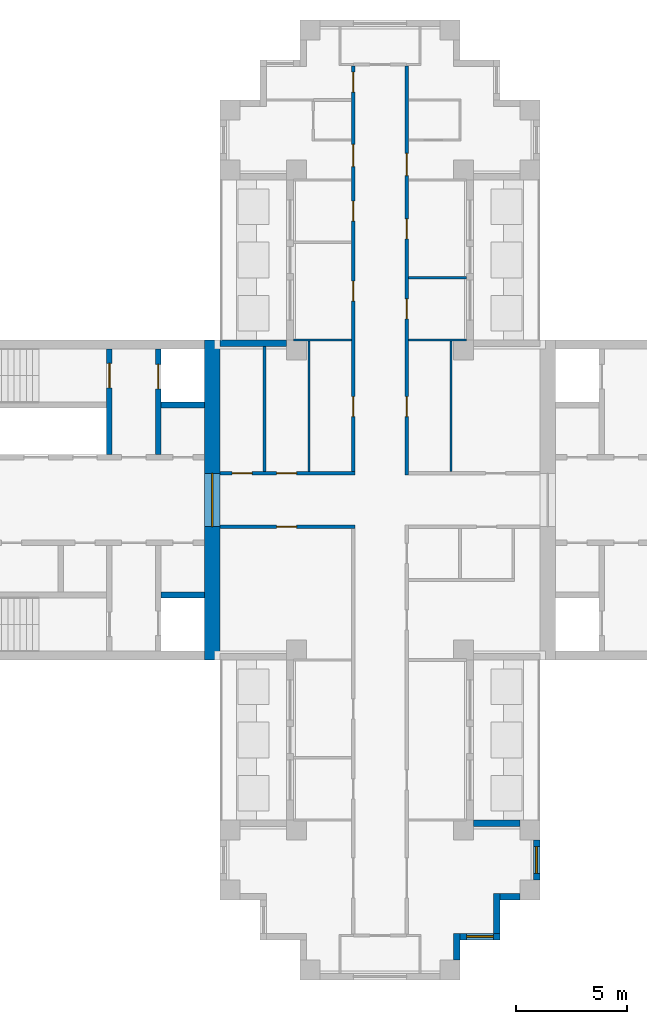
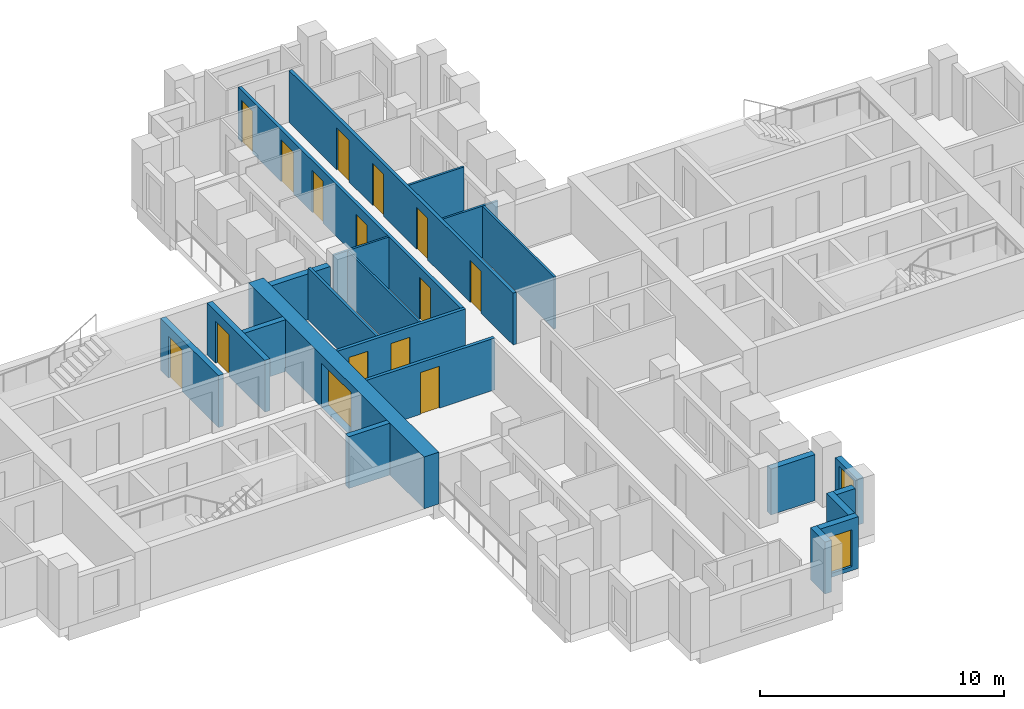
# One storey, part 4 of 10: 22 walls, 15 doors, 2 windows, 17 openings.
"""IFC4 building model written with IfcOpenShell, lengths in metres."""

from ifc_helpers import new_model, si_unit, direction, frame, frame_2d, origin, place, context, subcontext, project, spatial, rectangle, extrude, material, layer, layer_set, type_object, element, fill, save


model = new_model("IFC4")

# Units and contexts
model_context = context("Model", 3, precision=1e-05, world=origin(), true_north=direction((0.0, 1.0)))
body_context = subcontext(model_context, "Body", "Model", "MODEL_VIEW")
ifc_project = project(units=[si_unit("LENGTHUNIT", "METRE"), si_unit("AREAUNIT", "SQUARE_METRE"), si_unit("VOLUMEUNIT", "CUBIC_METRE"), si_unit("PLANEANGLEUNIT", "RADIAN"), si_unit("MASSUNIT", "GRAM", prefix="KILO")], contexts=[model_context])

# Site, building, storey
site_placement = place(None, origin())
site = spatial("IfcSite", under=ifc_project, at=site_placement, CompositionType="ELEMENT")
building_placement = place(site_placement, origin())
building = spatial("IfcBuilding", under=site, at=building_placement, Name="Fustian Cross Tower", CompositionType="ELEMENT")
storey_placement = place(building_placement, frame((0.0, 0.0, 213.89990234375)))
storey = spatial("IfcBuildingStorey", under=building, at=storey_placement, Name="L67", CompositionType="ELEMENT", Elevation=213.89990234375)

# Wall, opening, door
ifc_material_1 = material(Name="Plasterboard on steel stud", Category="steel")
ifc_layer_1 = layer(ifc_material_1, 0.14990234375)
ifc_layer_set_1 = layer_set([ifc_layer_1], Name="Plasterboard on steel stud")
wall_type_1 = type_object("IfcWallType", Name="COMPARTMENT WALL 150 EI 60", PredefinedType="PARTITIONING", material=ifc_layer_set_1)
wall_1_placement = place(storey_placement, frame((-7.199951171875, -1.199951171875, 0.0), z_axis=(0.0, 0.0, 1.0), x_axis=(1.0, 0.0, 0.0)))
wall_1 = element("IfcWall", 1, at=wall_1_placement, inside=storey, type_object=wall_type_1, Name="Partition 10", PredefinedType="PARTITIONING", context=body_context, shape_type="SweptSolid", body=[
    extrude(rectangle(XDim=6.074951171875, YDim=0.14990234375, at=frame_2d((3.03759765625, 0.0))), origin(), (0.0, 0.0, 1.0), 2.60009765625),
])
opening_1_placement = place(wall_1_placement, frame((2.550048828125, 0.0, 0.0)))
opening_1 = element("IfcOpeningElement", 2, at=opening_1_placement, cuts=wall_1, Name="Opening D30009", PredefinedType="OPENING", context=body_context, shape_type="SweptSolid", body=[
    extrude(rectangle(XDim=0.89990234375, YDim=2.10009765625, at=frame_2d((0.449951171875, 1.050048828125))), frame((0.0, 0.0849609375, 0.0), z_axis=(0.0, -1.0, 0.0), x_axis=(1.0, 0.0, 0.0)), (0.0, 0.0, 1.0), 0.169921875),
])
ifc_material_2 = material(Name="Timber fire door set", Category="wood")
door_type_1 = type_object("IfcDoorType", Name="FIRE SWING DOOR 900 FD30S", OperationType="SINGLE_SWING_LEFT", PredefinedType="DOOR", material=ifc_material_2)
door_1_placement = place(opening_1_placement, frame((0.89990234375, 0.0, 0.0), z_axis=(0.0, 0.0, 1.0), x_axis=(-1.0, 0.0, 0.0)))
door_1 = element("IfcDoor", 3, at=door_1_placement, inside=storey, type_object=door_type_1, Name="Door D30009", OperationType="SINGLE_SWING_RIGHT", OverallHeight=2.10009765625, OverallWidth=0.89990234375, PredefinedType="DOOR", context=body_context, shape_type="SweptSolid", body=[
    extrude(rectangle(XDim=0.89990234375, YDim=2.10009765625, at=frame_2d((0.449951171875, 1.050048828125))), frame((0.0, 0.02490234375, 0.0), z_axis=(0.0, -1.0, 0.0), x_axis=(1.0, 0.0, 0.0)), (0.0, 0.0, 1.0), 0.050048828125),
])
fill(opening_1, door_1)

# Wall, openings, doors
wall_2_placement = place(storey_placement, frame((-7.199951171875, 1.199951171875, 0.0), z_axis=(0.0, 0.0, 1.0), x_axis=(1.0, 0.0, 0.0)))
wall_2 = element("IfcWall", 4, at=wall_2_placement, inside=storey, type_object=wall_type_1, Name="Partition 11", PredefinedType="PARTITIONING", context=body_context, shape_type="SweptSolid", body=[
    extrude(rectangle(XDim=6.074951171875, YDim=0.14990234375, at=frame_2d((3.03759765625, 0.0))), origin(), (0.0, 0.0, 1.0), 2.60009765625),
])
opening_2_placement = place(wall_2_placement, frame((2.550048828125, 0.0, 0.0)))
opening_2 = element("IfcOpeningElement", 5, at=opening_2_placement, cuts=wall_2, Name="Opening D30004", PredefinedType="OPENING", context=body_context, shape_type="SweptSolid", body=[
    extrude(rectangle(XDim=0.89990234375, YDim=2.10009765625, at=frame_2d((0.449951171875, 1.050048828125))), frame((0.0, 0.0849609375, 0.0), z_axis=(0.0, -1.0, 0.0), x_axis=(1.0, 0.0, 0.0)), (0.0, 0.0, 1.0), 0.169921875),
])
opening_3_placement = place(wall_2_placement, frame((0.550048828125, 0.0, 0.0)))
opening_3 = element("IfcOpeningElement", 6, at=opening_3_placement, cuts=wall_2, Name="Opening D30005", PredefinedType="OPENING", context=body_context, shape_type="SweptSolid", body=[
    extrude(rectangle(XDim=0.89990234375, YDim=2.10009765625, at=frame_2d((0.449951171875, 1.050048828125))), frame((0.0, 0.0849609375, 0.0), z_axis=(0.0, -1.0, 0.0), x_axis=(1.0, 0.0, 0.0)), (0.0, 0.0, 1.0), 0.169921875),
])
door_2_placement = place(opening_2_placement, origin())
door_2 = element("IfcDoor", 7, at=door_2_placement, inside=storey, type_object=door_type_1, Name="Door D30004", OperationType="SINGLE_SWING_LEFT", OverallHeight=2.10009765625, OverallWidth=0.89990234375, PredefinedType="DOOR", context=body_context, shape_type="SweptSolid", body=[
    extrude(rectangle(XDim=0.89990234375, YDim=2.10009765625, at=frame_2d((0.449951171875, 1.050048828125))), frame((0.0, 0.02490234375, 0.0), z_axis=(0.0, -1.0, 0.0), x_axis=(1.0, 0.0, 0.0)), (0.0, 0.0, 1.0), 0.050048828125),
])
fill(opening_2, door_2)
door_3_placement = place(opening_3_placement, origin())
door_3 = element("IfcDoor", 8, at=door_3_placement, inside=storey, type_object=door_type_1, Name="Door D30005", OperationType="SINGLE_SWING_LEFT", OverallHeight=2.10009765625, OverallWidth=0.89990234375, PredefinedType="DOOR", context=body_context, shape_type="SweptSolid", body=[
    extrude(rectangle(XDim=0.89990234375, YDim=2.10009765625, at=frame_2d((0.449951171875, 1.050048828125))), frame((0.0, 0.02490234375, 0.0), z_axis=(0.0, -1.0, 0.0), x_axis=(1.0, 0.0, 0.0)), (0.0, 0.0, 1.0), 0.050048828125),
])
fill(opening_3, door_3)

wall_3_placement = place(storey_placement, frame((-1.199951171875, 1.27490234375, 0.0), z_axis=(0.0, 0.0, 1.0), x_axis=(0.0, 1.0, 0.0)))
wall_3 = element("IfcWall", 9, at=wall_3_placement, inside=storey, type_object=wall_type_1, Name="Partition 30", PredefinedType="PARTITIONING", context=body_context, shape_type="SweptSolid", body=[
    extrude(rectangle(XDim=18.25, YDim=0.14990234375, at=frame_2d((9.125, 0.0))), origin(), (0.0, 0.0, 1.0), 2.60009765625),
])
opening_4_placement = place(wall_3_placement, frame((2.47509765625, 0.0, 0.0)))
opening_4 = element("IfcOpeningElement", 10, at=opening_4_placement, cuts=wall_3, Name="Opening D30003", PredefinedType="OPENING", context=body_context, shape_type="SweptSolid", body=[
    extrude(rectangle(XDim=0.89990234375, YDim=2.10009765625, at=frame_2d((0.449951171875, 1.050048828125))), frame((0.0, 0.0849609375, 0.0), z_axis=(0.0, -1.0, 0.0), x_axis=(1.0, 0.0, 0.0)), (0.0, 0.0, 1.0), 0.169921875),
])
opening_5_placement = place(wall_3_placement, frame((11.27490234375, 0.0, 0.0)))
opening_5 = element("IfcOpeningElement", 11, at=opening_5_placement, cuts=wall_3, Name="Opening D30016", PredefinedType="OPENING", context=body_context, shape_type="SweptSolid", body=[
    extrude(rectangle(XDim=0.89990234375, YDim=2.10009765625, at=frame_2d((0.449951171875, 1.050048828125))), frame((0.0, 0.0849609375, 0.0), z_axis=(0.0, -1.0, 0.0), x_axis=(1.0, 0.0, 0.0)), (0.0, 0.0, 1.0), 0.169921875),
])
opening_6_placement = place(wall_3_placement, frame((7.675048828125, 0.0, 0.0)))
opening_6 = element("IfcOpeningElement", 12, at=opening_6_placement, cuts=wall_3, Name="Opening D30017", PredefinedType="OPENING", context=body_context, shape_type="SweptSolid", body=[
    extrude(rectangle(XDim=0.89990234375, YDim=2.10009765625, at=frame_2d((0.449951171875, 1.050048828125))), frame((0.0, 0.0849609375, 0.0), z_axis=(0.0, -1.0, 0.0), x_axis=(1.0, 0.0, 0.0)), (0.0, 0.0, 1.0), 0.169921875),
])
opening_7_placement = place(wall_3_placement, frame((13.72509765625, 0.0, 0.0)))
opening_7 = element("IfcOpeningElement", 13, at=opening_7_placement, cuts=wall_3, Name="Opening D30019", PredefinedType="OPENING", context=body_context, shape_type="SweptSolid", body=[
    extrude(rectangle(XDim=1.0, YDim=2.10009765625, at=frame_2d((0.5, 1.050048828125))), frame((0.0, 0.0849609375, 0.0), z_axis=(0.0, -1.0, 0.0), x_axis=(1.0, 0.0, 0.0)), (0.0, 0.0, 1.0), 0.169921875),
])
opening_8_placement = place(wall_3_placement, frame((17.074951171875, 0.0, 0.0)))
opening_8 = element("IfcOpeningElement", 14, at=opening_8_placement, cuts=wall_3, Name="Opening D30020", PredefinedType="OPENING", context=body_context, shape_type="SweptSolid", body=[
    extrude(rectangle(XDim=0.89990234375, YDim=2.10009765625, at=frame_2d((0.449951171875, 1.050048828125))), frame((0.0, 0.0849609375, 0.0), z_axis=(0.0, -1.0, 0.0), x_axis=(1.0, 0.0, 0.0)), (0.0, 0.0, 1.0), 0.169921875),
])
ifc_material_3 = material(Name="Timber fire door set", Category="wood")
door_type_2 = type_object("IfcDoorType", Name="FIRE SWING DOOR 1000 FD30S", OperationType="SINGLE_SWING_LEFT", PredefinedType="DOOR", material=ifc_material_3)
door_4_placement = place(opening_7_placement, origin())
door_4 = element("IfcDoor", 15, at=door_4_placement, inside=storey, type_object=door_type_2, Name="Door D30019", OperationType="SINGLE_SWING_RIGHT", OverallHeight=2.10009765625, OverallWidth=1.0, PredefinedType="DOOR", context=body_context, shape_type="SweptSolid", body=[
    extrude(rectangle(XDim=1.0, YDim=2.10009765625, at=frame_2d((0.5, 1.050048828125))), frame((0.0, 0.02490234375, 0.0), z_axis=(0.0, -1.0, 0.0), x_axis=(1.0, 0.0, 0.0)), (0.0, 0.0, 1.0), 0.050048828125),
])
fill(opening_7, door_4)
door_5_placement = place(opening_4_placement, origin())
door_5 = element("IfcDoor", 16, at=door_5_placement, inside=storey, type_object=door_type_1, Name="Door D30003", OperationType="SINGLE_SWING_LEFT", OverallHeight=2.10009765625, OverallWidth=0.89990234375, PredefinedType="DOOR", context=body_context, shape_type="SweptSolid", body=[
    extrude(rectangle(XDim=0.89990234375, YDim=2.10009765625, at=frame_2d((0.449951171875, 1.050048828125))), frame((0.0, 0.02490234375, 0.0), z_axis=(0.0, -1.0, 0.0), x_axis=(1.0, 0.0, 0.0)), (0.0, 0.0, 1.0), 0.050048828125),
])
fill(opening_4, door_5)
door_6_placement = place(opening_5_placement, origin())
door_6 = element("IfcDoor", 17, at=door_6_placement, inside=storey, type_object=door_type_1, Name="Door D30016", OperationType="SINGLE_SWING_LEFT", OverallHeight=2.10009765625, OverallWidth=0.89990234375, PredefinedType="DOOR", context=body_context, shape_type="SweptSolid", body=[
    extrude(rectangle(XDim=0.89990234375, YDim=2.10009765625, at=frame_2d((0.449951171875, 1.050048828125))), frame((0.0, 0.02490234375, 0.0), z_axis=(0.0, -1.0, 0.0), x_axis=(1.0, 0.0, 0.0)), (0.0, 0.0, 1.0), 0.050048828125),
])
fill(opening_5, door_6)
door_7_placement = place(opening_6_placement, origin())
door_7 = element("IfcDoor", 18, at=door_7_placement, inside=storey, type_object=door_type_1, Name="Door D30017", OperationType="SINGLE_SWING_LEFT", OverallHeight=2.10009765625, OverallWidth=0.89990234375, PredefinedType="DOOR", context=body_context, shape_type="SweptSolid", body=[
    extrude(rectangle(XDim=0.89990234375, YDim=2.10009765625, at=frame_2d((0.449951171875, 1.050048828125))), frame((0.0, 0.02490234375, 0.0), z_axis=(0.0, -1.0, 0.0), x_axis=(1.0, 0.0, 0.0)), (0.0, 0.0, 1.0), 0.050048828125),
])
fill(opening_6, door_7)
door_8_placement = place(opening_8_placement, origin())
door_8 = element("IfcDoor", 19, at=door_8_placement, inside=storey, type_object=door_type_1, Name="Door D30020", OperationType="SINGLE_SWING_LEFT", OverallHeight=2.10009765625, OverallWidth=0.89990234375, PredefinedType="DOOR", context=body_context, shape_type="SweptSolid", body=[
    extrude(rectangle(XDim=0.89990234375, YDim=2.10009765625, at=frame_2d((0.449951171875, 1.050048828125))), frame((0.0, 0.02490234375, 0.0), z_axis=(0.0, -1.0, 0.0), x_axis=(1.0, 0.0, 0.0)), (0.0, 0.0, 1.0), 0.050048828125),
])
fill(opening_8, door_8)

wall_4_placement = place(storey_placement, frame((1.199951171875, 1.125, 0.0), z_axis=(0.0, 0.0, 1.0), x_axis=(0.0, 1.0, 0.0)))
wall_4 = element("IfcWall", 20, at=wall_4_placement, inside=storey, type_object=wall_type_1, Name="Partition 38", PredefinedType="PARTITIONING", context=body_context, shape_type="SweptSolid", body=[
    extrude(rectangle(XDim=18.39990234375, YDim=0.14990234375, at=frame_2d((9.199951171875, 0.0))), origin(), (0.0, 0.0, 1.0), 2.60009765625),
])
opening_9_placement = place(wall_4_placement, frame((2.625, 0.0, 0.0)))
opening_9 = element("IfcOpeningElement", 21, at=opening_9_placement, cuts=wall_4, Name="Opening D30001", PredefinedType="OPENING", context=body_context, shape_type="SweptSolid", body=[
    extrude(rectangle(XDim=0.89990234375, YDim=2.10009765625, at=frame_2d((0.449951171875, 1.050048828125))), frame((0.0, 0.0849609375, 0.0), z_axis=(0.0, -1.0, 0.0), x_axis=(1.0, 0.0, 0.0)), (0.0, 0.0, 1.0), 0.169921875),
])
opening_10_placement = place(wall_4_placement, frame((7.02490234375, 0.0, 0.0)))
opening_10 = element("IfcOpeningElement", 22, at=opening_10_placement, cuts=wall_4, Name="Opening D30021", PredefinedType="OPENING", context=body_context, shape_type="SweptSolid", body=[
    extrude(rectangle(XDim=0.89990234375, YDim=2.10009765625, at=frame_2d((0.449951171875, 1.050048828125))), frame((0.0, 0.0849609375, 0.0), z_axis=(0.0, -1.0, 0.0), x_axis=(1.0, 0.0, 0.0)), (0.0, 0.0, 1.0), 0.169921875),
])
opening_11_placement = place(wall_4_placement, frame((10.625, 0.0, 0.0)))
opening_11 = element("IfcOpeningElement", 23, at=opening_11_placement, cuts=wall_4, Name="Opening D30022", PredefinedType="OPENING", context=body_context, shape_type="SweptSolid", body=[
    extrude(rectangle(XDim=0.89990234375, YDim=2.10009765625, at=frame_2d((0.449951171875, 1.050048828125))), frame((0.0, 0.0849609375, 0.0), z_axis=(0.0, -1.0, 0.0), x_axis=(1.0, 0.0, 0.0)), (0.0, 0.0, 1.0), 0.169921875),
])
opening_12_placement = place(wall_4_placement, frame((13.47509765625, 0.0, 0.0)))
opening_12 = element("IfcOpeningElement", 24, at=opening_12_placement, cuts=wall_4, Name="Opening D30024", PredefinedType="OPENING", context=body_context, shape_type="SweptSolid", body=[
    extrude(rectangle(XDim=1.0, YDim=2.10009765625, at=frame_2d((0.5, 1.050048828125))), frame((0.0, 0.0849609375, 0.0), z_axis=(0.0, -1.0, 0.0), x_axis=(1.0, 0.0, 0.0)), (0.0, 0.0, 1.0), 0.169921875),
])
door_9_placement = place(opening_12_placement, frame((1.0, 0.0, 0.0), z_axis=(0.0, 0.0, 1.0), x_axis=(-1.0, 0.0, 0.0)))
door_9 = element("IfcDoor", 25, at=door_9_placement, inside=storey, type_object=door_type_2, Name="Door D30024", OperationType="SINGLE_SWING_RIGHT", OverallHeight=2.10009765625, OverallWidth=1.0, PredefinedType="DOOR", context=body_context, shape_type="SweptSolid", body=[
    extrude(rectangle(XDim=1.0, YDim=2.10009765625, at=frame_2d((0.5, 1.050048828125))), frame((0.0, 0.02490234375, 0.0), z_axis=(0.0, -1.0, 0.0), x_axis=(1.0, 0.0, 0.0)), (0.0, 0.0, 1.0), 0.050048828125),
])
fill(opening_12, door_9)
door_10_placement = place(opening_9_placement, frame((0.89990234375, 0.0, 0.0), z_axis=(0.0, 0.0, 1.0), x_axis=(-1.0, 0.0, 0.0)))
door_10 = element("IfcDoor", 26, at=door_10_placement, inside=storey, type_object=door_type_1, Name="Door D30001", OperationType="SINGLE_SWING_RIGHT", OverallHeight=2.10009765625, OverallWidth=0.89990234375, PredefinedType="DOOR", context=body_context, shape_type="SweptSolid", body=[
    extrude(rectangle(XDim=0.89990234375, YDim=2.10009765625, at=frame_2d((0.449951171875, 1.050048828125))), frame((0.0, 0.02490234375, 0.0), z_axis=(0.0, -1.0, 0.0), x_axis=(1.0, 0.0, 0.0)), (0.0, 0.0, 1.0), 0.050048828125),
])
fill(opening_9, door_10)
door_11_placement = place(opening_10_placement, frame((0.89990234375, 0.0, 0.0), z_axis=(0.0, 0.0, 1.0), x_axis=(-1.0, 0.0, 0.0)))
door_11 = element("IfcDoor", 27, at=door_11_placement, inside=storey, type_object=door_type_1, Name="Door D30021", OperationType="SINGLE_SWING_RIGHT", OverallHeight=2.10009765625, OverallWidth=0.89990234375, PredefinedType="DOOR", context=body_context, shape_type="SweptSolid", body=[
    extrude(rectangle(XDim=0.89990234375, YDim=2.10009765625, at=frame_2d((0.449951171875, 1.050048828125))), frame((0.0, 0.02490234375, 0.0), z_axis=(0.0, -1.0, 0.0), x_axis=(1.0, 0.0, 0.0)), (0.0, 0.0, 1.0), 0.050048828125),
])
fill(opening_10, door_11)
door_12_placement = place(opening_11_placement, frame((0.89990234375, 0.0, 0.0), z_axis=(0.0, 0.0, 1.0), x_axis=(-1.0, 0.0, 0.0)))
door_12 = element("IfcDoor", 28, at=door_12_placement, inside=storey, type_object=door_type_1, Name="Door D30022", OperationType="SINGLE_SWING_RIGHT", OverallHeight=2.10009765625, OverallWidth=0.89990234375, PredefinedType="DOOR", context=body_context, shape_type="SweptSolid", body=[
    extrude(rectangle(XDim=0.89990234375, YDim=2.10009765625, at=frame_2d((0.449951171875, 1.050048828125))), frame((0.0, 0.02490234375, 0.0), z_axis=(0.0, -1.0, 0.0), x_axis=(1.0, 0.0, 0.0)), (0.0, 0.0, 1.0), 0.050048828125),
])
fill(opening_11, door_12)

# Wall, opening, door
ifc_material_4 = material(Name="Concrete C50/60", Category="concrete")
ifc_layer_2 = layer(ifc_material_4, 0.699951171875)
ifc_layer_set_2 = layer_set([ifc_layer_2], Name="Concrete C50/60")
wall_type_2 = type_object("IfcWallType", Name="CORE END WALL 700 C50/60", PredefinedType="SHEAR", material=ifc_layer_set_2)
wall_5_placement = place(storey_placement, frame((-7.550048828125, -7.199951171875, 0.0), z_axis=(0.0, 0.0, 1.0), x_axis=(0.0, 1.0, 0.0)))
wall_5 = element("IfcWall", 29, at=wall_5_placement, inside=storey, type_object=wall_type_2, Name="Core end wall", PredefinedType="SHEAR", context=body_context, shape_type="SweptSolid", body=[
    extrude(rectangle(XDim=14.39990234375, YDim=0.699951171875, at=frame_2d((7.199951171875, 0.0))), origin(), (0.0, 0.0, 1.0), 2.60009765625),
])
opening_13_placement = place(wall_5_placement, frame((6.0, 0.0, 0.0)))
opening_13 = element("IfcOpeningElement", 30, at=opening_13_placement, cuts=wall_5, Name="Opening CD-28-29", PredefinedType="OPENING", context=body_context, shape_type="SweptSolid", body=[
    extrude(rectangle(XDim=2.39990234375, YDim=2.199951171875, at=frame_2d((1.199951171875, 1.10009765625))), frame((0.0, 0.35986328125, 0.0), z_axis=(0.0, -1.0, 0.0), x_axis=(1.0, 0.0, 0.0)), (0.0, 0.0, 1.0), 0.719970703125),
])
ifc_material_5 = material(Name="Steel", Category="steel")
door_type_3 = type_object("IfcDoorType", Name="FIRE DOOR FD30S DOUBLE 2400X2200", OperationType="DOUBLE_DOOR_DOUBLE_SWING", PredefinedType="DOOR", material=ifc_material_5)
door_13_placement = place(opening_13_placement, origin())
door_13 = element("IfcDoor", 31, at=door_13_placement, inside=storey, type_object=door_type_3, Name="Core door CD-28-29", OperationType="DOUBLE_DOOR_DOUBLE_SWING", OverallHeight=2.199951171875, OverallWidth=2.39990234375, PredefinedType="DOOR", context=body_context, shape_type="SweptSolid", body=[
    extrude(rectangle(XDim=2.39990234375, YDim=2.199951171875, at=frame_2d((1.199951171875, 1.10009765625))), frame((0.0, 0.02490234375, 0.0), z_axis=(0.0, -1.0, 0.0), x_axis=(1.0, 0.0, 0.0)), (0.0, 0.0, 1.0), 0.050048828125),
])
fill(opening_13, door_13)

# Wall
ifc_material_6 = material(Name="Concrete C50/60", Category="concrete")
ifc_layer_3 = layer(ifc_material_6, 0.25)
ifc_layer_set_3 = layer_set([ifc_layer_3], Name="Concrete C50/60")
wall_type_3 = type_object("IfcWallType", Name="CORE SHAFT WALL 250 C50/60", PredefinedType="SHEAR", material=ifc_layer_set_3)
wall_6_placement = place(storey_placement, frame((-7.89990234375, 4.27490234375, 0.0), z_axis=(0.0, 0.0, 1.0), x_axis=(-1.0, 0.0, 0.0)))
element("IfcWall", 32, at=wall_6_placement, inside=storey, type_object=wall_type_3, Name="Core shaft wall", PredefinedType="SHEAR", context=body_context, shape_type="SweptSolid", body=[
    extrude(rectangle(XDim=1.9501953125, YDim=0.25, at=frame_2d((0.97509765625, 0.0))), origin(), (0.0, 0.0, 1.0), 2.60009765625),
])

# Wall, opening, door
wall_7_placement = place(storey_placement, frame((-9.97509765625, 2.050048828125, 0.0), z_axis=(0.0, 0.0, 1.0), x_axis=(0.0, 1.0, 0.0)))
wall_7 = element("IfcWall", 33, at=wall_7_placement, inside=storey, type_object=wall_type_3, Name="Core shaft wall", PredefinedType="SHEAR", context=body_context, shape_type="SweptSolid", body=[
    extrude(rectangle(XDim=4.75, YDim=0.25, at=frame_2d((2.375, 0.0))), origin(), (0.0, 0.0, 1.0), 2.60009765625),
])
opening_14_placement = place(wall_7_placement, frame((2.949951171875, 0.0, 0.0)))
opening_14 = element("IfcOpeningElement", 34, at=opening_14_placement, cuts=wall_7, Name="Opening LD", PredefinedType="OPENING", context=body_context, shape_type="SweptSolid", body=[
    extrude(rectangle(XDim=1.10009765625, YDim=2.10009765625, at=frame_2d((0.550048828125, 1.050048828125))), frame((0.0, 0.135009765625, 0.0), z_axis=(0.0, -1.0, 0.0), x_axis=(1.0, 0.0, 0.0)), (0.0, 0.0, 1.0), 0.27001953125),
])
ifc_material_7 = material(Name="Stainless steel", Category="steel")
door_type_4 = type_object("IfcDoorType", Name="LIFT LANDING DOOR 1100X2100", OperationType="SLIDING_TO_LEFT", PredefinedType="DOOR", material=ifc_material_7)
door_14_placement = place(opening_14_placement, origin())
door_14 = element("IfcDoor", 35, at=door_14_placement, inside=storey, type_object=door_type_4, Name="Landing door FL1W", OperationType="SLIDING_TO_LEFT", OverallHeight=2.10009765625, OverallWidth=1.10009765625, PredefinedType="DOOR", context=body_context, shape_type="SweptSolid", body=[
    extrude(rectangle(XDim=1.10009765625, YDim=2.10009765625, at=frame_2d((0.550048828125, 1.050048828125))), frame((0.0, 0.02490234375, 0.0), z_axis=(0.0, -1.0, 0.0), x_axis=(1.0, 0.0, 0.0)), (0.0, 0.0, 1.0), 0.050048828125),
])
fill(opening_14, door_14)

wall_8_placement = place(storey_placement, frame((-12.175048828125, 2.050048828125, 0.0), z_axis=(0.0, 0.0, 1.0), x_axis=(0.0, 1.0, 0.0)))
wall_8 = element("IfcWall", 36, at=wall_8_placement, inside=storey, type_object=wall_type_3, Name="Core shaft wall", PredefinedType="SHEAR", context=body_context, shape_type="SweptSolid", body=[
    extrude(rectangle(XDim=4.75, YDim=0.25, at=frame_2d((2.375, 0.0))), origin(), (0.0, 0.0, 1.0), 2.60009765625),
])
opening_15_placement = place(wall_8_placement, frame((3.0, 0.0, 0.0)))
opening_15 = element("IfcOpeningElement", 37, at=opening_15_placement, cuts=wall_8, Name="Opening CD-28-23", PredefinedType="OPENING", context=body_context, shape_type="SweptSolid", body=[
    extrude(rectangle(XDim=1.10009765625, YDim=2.10009765625, at=frame_2d((0.550048828125, 1.050048828125))), frame((0.0, 0.135009765625, 0.0), z_axis=(0.0, -1.0, 0.0), x_axis=(1.0, 0.0, 0.0)), (0.0, 0.0, 1.0), 0.27001953125),
])
ifc_material_8 = material(Name="Steel", Category="steel")
door_type_5 = type_object("IfcDoorType", Name="FIRE DOOR FD60S 1100X2100", OperationType="SINGLE_SWING_LEFT", PredefinedType="DOOR", material=ifc_material_8)
door_15_placement = place(opening_15_placement, origin())
door_15 = element("IfcDoor", 38, at=door_15_placement, inside=storey, type_object=door_type_5, Name="Core door CD-28-23", OperationType="SINGLE_SWING_LEFT", OverallHeight=2.10009765625, OverallWidth=1.10009765625, PredefinedType="DOOR", context=body_context, shape_type="SweptSolid", body=[
    extrude(rectangle(XDim=1.10009765625, YDim=2.10009765625, at=frame_2d((0.550048828125, 1.050048828125))), frame((0.0, 0.02490234375, 0.0), z_axis=(0.0, -1.0, 0.0), x_axis=(1.0, 0.0, 0.0)), (0.0, 0.0, 1.0), 0.050048828125),
])
fill(opening_15, door_15)

# Walls
wall_9_placement = place(storey_placement, frame((-7.89990234375, -4.27490234375, 0.0), z_axis=(0.0, 0.0, 1.0), x_axis=(-1.0, 0.0, 0.0)))
element("IfcWall", 39, at=wall_9_placement, inside=storey, type_object=wall_type_3, Name="Core shaft wall", PredefinedType="SHEAR", context=body_context, shape_type="SweptSolid", body=[
    extrude(rectangle(XDim=1.9501953125, YDim=0.25, at=frame_2d((0.97509765625, 0.0))), origin(), (0.0, 0.0, 1.0), 2.60009765625),
])
ifc_material_9 = material(Name="Plasterboard on steel stud", Category="steel")
ifc_layer_4 = layer(ifc_material_9, 0.10009765625)
ifc_layer_set_4 = layer_set([ifc_layer_4], Name="Plasterboard on steel stud")
wall_type_4 = type_object("IfcWallType", Name="PARTITION 100 STUD", PredefinedType="PARTITIONING", material=ifc_layer_set_4)
wall_10_placement = place(storey_placement, frame((-3.89990234375, 7.199951171875, 0.0), z_axis=(0.0, 0.0, 1.0), x_axis=(1.0, 0.0, 0.0)))
element("IfcWall", 40, at=wall_10_placement, inside=storey, type_object=wall_type_4, Name="Partition 17", PredefinedType="PARTITIONING", context=body_context, shape_type="SweptSolid", body=[
    extrude(rectangle(XDim=2.625, YDim=0.10009765625, at=frame_2d((1.3125, 0.0))), origin(), (0.0, 0.0, 1.0), 2.60009765625),
])
wall_11_placement = place(storey_placement, frame((-3.199951171875, 1.27490234375, 0.0), z_axis=(0.0, 0.0, 1.0), x_axis=(0.0, 1.0, 0.0)))
element("IfcWall", 41, at=wall_11_placement, inside=storey, type_object=wall_type_4, Name="Partition 20", PredefinedType="PARTITIONING", context=body_context, shape_type="SweptSolid", body=[
    extrude(rectangle(XDim=5.875, YDim=0.10009765625, at=frame_2d((2.9375, 0.0))), origin(), (0.0, 0.0, 1.0), 2.60009765625),
])
for number, where, z_axis, x_axis, name in (
    (42, (1.27490234375, 7.199951171875, 0.0), (0.0, 0.0, 1.0), (1.0, 0.0, 0.0), "Partition 40"),
    (43, (1.27490234375, 10.0, 0.0), (0.0, 0.0, 1.0), (1.0, 0.0, 0.0), "Partition 41"),
):
    element("IfcWall", number, at=place(storey_placement, frame(where, z_axis=z_axis, x_axis=x_axis)), inside=storey, type_object=wall_type_4, Name=name, PredefinedType="PARTITIONING", context=body_context, shape_type="SweptSolid", body=[
        extrude(rectangle(XDim=2.625, YDim=0.10009765625, at=frame_2d((1.3125, 0.0))), origin(), (0.0, 0.0, 1.0), 2.60009765625),
    ])
wall_12_placement = place(storey_placement, frame((3.199951171875, 1.27490234375, 0.0), z_axis=(0.0, 0.0, 1.0), x_axis=(0.0, 1.0, 0.0)))
element("IfcWall", 44, at=wall_12_placement, inside=storey, type_object=wall_type_4, Name="Partition 48", PredefinedType="PARTITIONING", context=body_context, shape_type="SweptSolid", body=[
    extrude(rectangle(XDim=5.875, YDim=0.10009765625, at=frame_2d((2.9375, 0.0))), origin(), (0.0, 0.0, 1.0), 2.60009765625),
])
ifc_material_10 = material(Name="Plasterboard on steel stud", Category="steel")
ifc_layer_5 = layer(ifc_material_10, 0.125)
ifc_layer_set_5 = layer_set([ifc_layer_5], Name="Plasterboard on steel stud")
wall_type_5 = type_object("IfcWallType", Name="WET WALL 125 STUD", PredefinedType="PARTITIONING", material=ifc_layer_set_5)
wall_13_placement = place(storey_placement, frame((-5.199951171875, 1.27490234375, 0.0), z_axis=(0.0, 0.0, 1.0), x_axis=(0.0, 1.0, 0.0)))
element("IfcWall", 45, at=wall_13_placement, inside=storey, type_object=wall_type_5, Name="Partition 12", PredefinedType="PARTITIONING", context=body_context, shape_type="SweptSolid", body=[
    extrude(rectangle(XDim=5.625, YDim=0.125, at=frame_2d((2.8125, 0.0))), origin(), (0.0, 0.0, 1.0), 2.60009765625),
])
ifc_material_11 = material(Name="Dark aluminium cladding on insulated backing wall", Category="aluminium")
ifc_layer_6 = layer(ifc_material_11, 0.300048828125)
ifc_layer_set_6 = layer_set([ifc_layer_6], Name="Dark aluminium cladding on insulated backing wall")
wall_type_6 = type_object("IfcWallType", Name="XW1 EXTERNAL WALL 300", PredefinedType="SOLIDWALL", material=ifc_layer_set_6)
wall_14_placement = place(storey_placement, frame((-4.199951171875, 7.050048828125, 0.0), z_axis=(0.0, 0.0, 1.0), x_axis=(-1.0, 0.0, 0.0)))
element("IfcWall", 46, at=wall_14_placement, inside=storey, type_object=wall_type_6, Name="External wall", PredefinedType="SOLIDWALL", context=body_context, shape_type="SweptSolid", body=[
    extrude(rectangle(XDim=3.0, YDim=0.300048828125, at=frame_2d((1.5, 0.0))), origin(), (0.0, 0.0, 1.0), 2.300048828125),
])
wall_15_placement = place(storey_placement, frame((3.449951171875, -20.699951171875, 0.0), z_axis=(0.0, 0.0, 1.0), x_axis=(0.0, 1.0, 0.0)))
element("IfcWall", 47, at=wall_15_placement, inside=storey, type_object=wall_type_6, Name="External wall", PredefinedType="SOLIDWALL", context=body_context, shape_type="SweptSolid", body=[
    extrude(rectangle(XDim=1.199951171875, YDim=0.300048828125, at=frame_2d((0.60009765625, 0.0))), origin(), (0.0, 0.0, 1.0), 2.60009765625),
])

# Wall, opening, window
wall_16_placement = place(storey_placement, frame((3.60009765625, -19.64990234375, 0.0), z_axis=(0.0, 0.0, 1.0), x_axis=(1.0, 0.0, 0.0)))
wall_16 = element("IfcWall", 48, at=wall_16_placement, inside=storey, type_object=wall_type_6, Name="External wall", PredefinedType="SOLIDWALL", context=body_context, shape_type="SweptSolid", body=[
    extrude(rectangle(XDim=1.7998046875, YDim=0.300048828125, at=frame_2d((0.89990234375, 0.0))), origin(), (0.0, 0.0, 1.0), 2.60009765625),
])
opening_16_placement = place(wall_16_placement, frame((0.300048828125, 0.0, 0.199951171875)))
opening_16 = element("IfcOpeningElement", 49, at=opening_16_placement, cuts=wall_16, Name="Opening WN3", PredefinedType="OPENING", context=body_context, shape_type="SweptSolid", body=[
    extrude(rectangle(XDim=1.199951171875, YDim=1.85009765625, at=frame_2d((0.60009765625, 0.925048828125))), frame((0.0, 0.159912109375, 0.0), z_axis=(0.0, -1.0, 0.0), x_axis=(1.0, 0.0, 0.0)), (0.0, 0.0, 1.0), 0.320068359375),
])
ifc_material_12 = material(Name="Dark anodised aluminium and double glazing", Category="aluminium")
window_type = type_object("IfcWindowType", Name="WN3 WINDOW 1200X1850", PartitioningType="SINGLE_PANEL", PredefinedType="WINDOW", material=ifc_material_12)
window_1_placement = place(opening_16_placement, origin())
window_1 = element("IfcWindow", 50, at=window_1_placement, inside=storey, type_object=window_type, Name="Window", OverallHeight=1.85009765625, OverallWidth=1.199951171875, PartitioningType="SINGLE_PANEL", PredefinedType="WINDOW", context=body_context, shape_type="SweptSolid", body=[
    extrude(rectangle(XDim=1.199951171875, YDim=1.85009765625, at=frame_2d((0.60009765625, 0.925048828125))), frame((0.0, 0.030029296875, 0.0), z_axis=(0.0, -1.0, 0.0), x_axis=(1.0, 0.0, 0.0)), (0.0, 0.0, 1.0), 0.06005859375),
])
fill(opening_16, window_1)

# Walls
wall_17_placement = place(storey_placement, frame((5.25, -19.5, 0.0), z_axis=(0.0, 0.0, 1.0), x_axis=(0.0, 1.0, 0.0)))
element("IfcWall", 51, at=wall_17_placement, inside=storey, type_object=wall_type_6, Name="External wall", PredefinedType="SOLIDWALL", context=body_context, shape_type="SweptSolid", body=[
    extrude(rectangle(XDim=1.800048828125, YDim=0.300048828125, at=frame_2d((0.89990234375, 0.0))), origin(), (0.0, 0.0, 1.0), 2.60009765625),
])
wall_18_placement = place(storey_placement, frame((5.39990234375, -17.85009765625, 0.0), z_axis=(0.0, 0.0, 1.0), x_axis=(1.0, 0.0, 0.0)))
element("IfcWall", 52, at=wall_18_placement, inside=storey, type_object=wall_type_6, Name="External wall", PredefinedType="SOLIDWALL", context=body_context, shape_type="SweptSolid", body=[
    extrude(rectangle(XDim=0.900146484375, YDim=0.300048828125, at=frame_2d((0.4501953125, 0.0))), origin(), (0.0, 0.0, 1.0), 2.60009765625),
])

# Wall, opening, window
wall_19_placement = place(storey_placement, frame((7.050048828125, -17.10009765625, 0.0), z_axis=(0.0, 0.0, 1.0), x_axis=(0.0, 1.0, 0.0)))
wall_19 = element("IfcWall", 53, at=wall_19_placement, inside=storey, type_object=wall_type_6, Name="External wall", PredefinedType="SOLIDWALL", context=body_context, shape_type="SweptSolid", body=[
    extrude(rectangle(XDim=1.800048828125, YDim=0.300048828125, at=frame_2d((0.89990234375, 0.0))), origin(), (0.0, 0.0, 1.0), 2.300048828125),
])
opening_17_placement = place(wall_19_placement, frame((0.300048828125, 0.0, 0.199951171875)))
opening_17 = element("IfcOpeningElement", 54, at=opening_17_placement, cuts=wall_19, Name="Opening WN3", PredefinedType="OPENING", context=body_context, shape_type="SweptSolid", body=[
    extrude(rectangle(XDim=1.199951171875, YDim=1.85009765625, at=frame_2d((0.60009765625, 0.925048828125))), frame((0.0, 0.159912109375, 0.0), z_axis=(0.0, -1.0, 0.0), x_axis=(1.0, 0.0, 0.0)), (0.0, 0.0, 1.0), 0.320068359375),
])
window_2_placement = place(opening_17_placement, origin())
window_2 = element("IfcWindow", 55, at=window_2_placement, inside=storey, type_object=window_type, Name="Window", OverallHeight=1.85009765625, OverallWidth=1.199951171875, PartitioningType="SINGLE_PANEL", PredefinedType="WINDOW", context=body_context, shape_type="SweptSolid", body=[
    extrude(rectangle(XDim=1.199951171875, YDim=1.85009765625, at=frame_2d((0.60009765625, 0.925048828125))), frame((0.0, 0.030029296875, 0.0), z_axis=(0.0, -1.0, 0.0), x_axis=(1.0, 0.0, 0.0)), (0.0, 0.0, 1.0), 0.06005859375),
])
fill(opening_17, window_2)

# Wall
wall_20_placement = place(storey_placement, frame((6.300048828125, -14.550048828125, 0.0), z_axis=(0.0, 0.0, 1.0), x_axis=(-1.0, 0.0, 0.0)))
element("IfcWall", 56, at=wall_20_placement, inside=storey, type_object=wall_type_6, Name="External wall", PredefinedType="SOLIDWALL", context=body_context, shape_type="SweptSolid", body=[
    extrude(rectangle(XDim=2.10009765625, YDim=0.300048828125, at=frame_2d((1.050048828125, 0.0))), origin(), (0.0, 0.0, 1.0), 2.300048828125),
])

save(model, "model.ifc")
